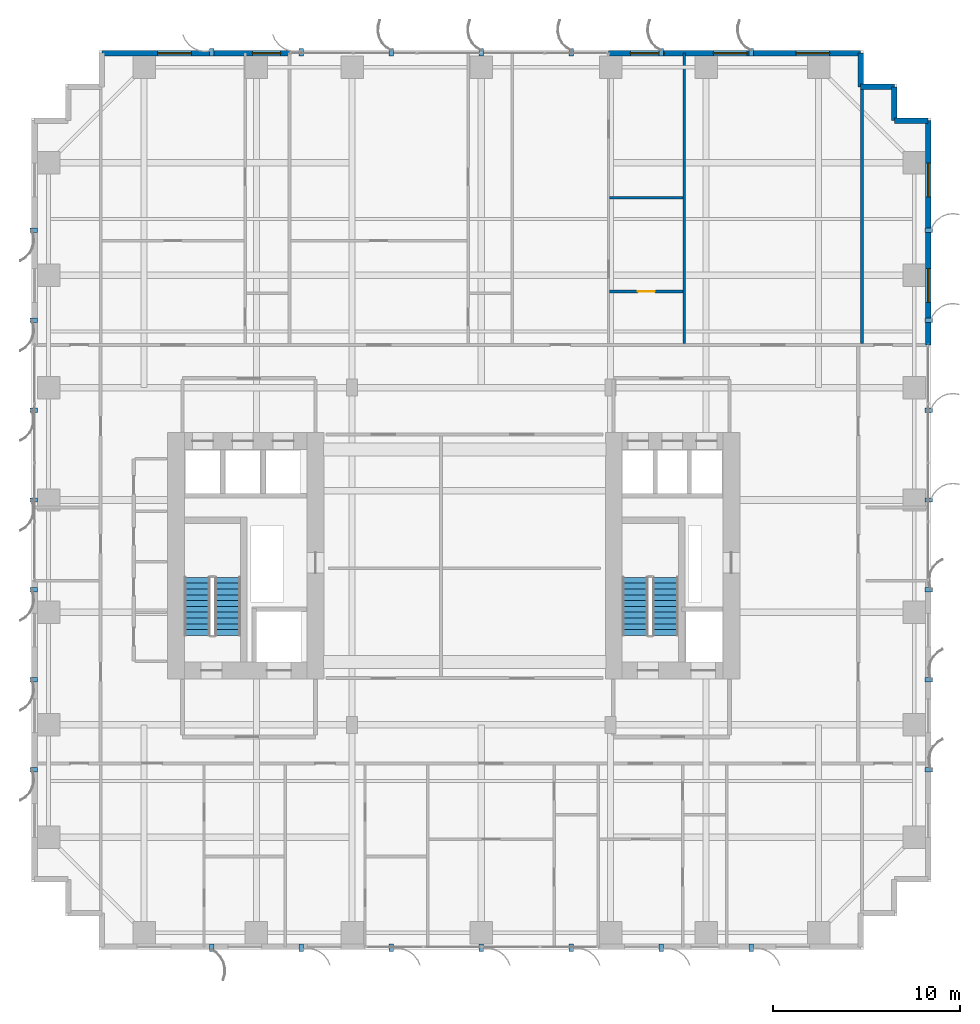
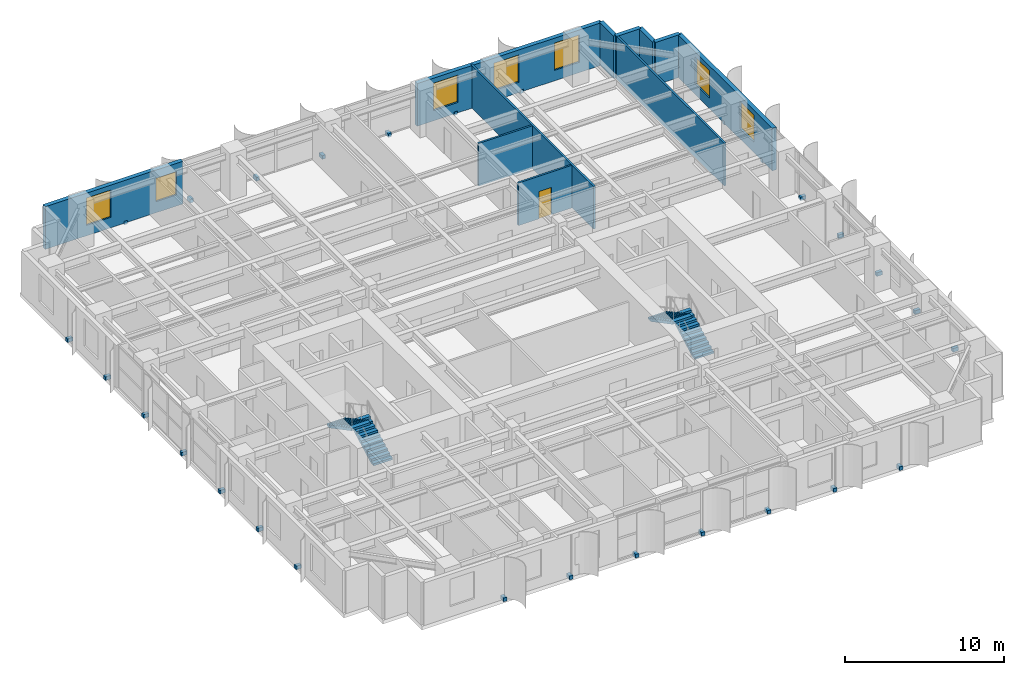
# One storey, part 19 of 23: 28 discrete accessories, 11 walls, 7 windows, 4 stair flights, 1 door, 8 openings, 2 elements without a shape of their own.
"""IFC4 building model written with IfcOpenShell, lengths in metres."""

from ifc_helpers import new_model, si_unit, direction, frame, frame_2d, origin, origin_2d, place, context, subcontext, project, spatial, polyline, rectangle, outline, extrude, source, transform, mapped, material, layer, layer_set, type_object, element, fill, aggregate, save


model = new_model("IFC4")

# Units and contexts
model_context = context("Model", 3, precision=1e-05, world=origin(), true_north=direction((0.0, 1.0)))
body_context = subcontext(model_context, "Body", "Model", "MODEL_VIEW")
ifc_project = project(units=[si_unit("LENGTHUNIT", "METRE"), si_unit("AREAUNIT", "SQUARE_METRE"), si_unit("VOLUMEUNIT", "CUBIC_METRE"), si_unit("PLANEANGLEUNIT", "RADIAN"), si_unit("MASSUNIT", "GRAM", prefix="KILO")], contexts=[model_context])

# Site, building, storey
site_placement = place(None, origin())
site = spatial("IfcSite", under=ifc_project, at=site_placement, CompositionType="ELEMENT")
building_placement = place(site_placement, origin())
building = spatial("IfcBuilding", under=site, at=building_placement, Name="Khoralis Quay Care Tower", CompositionType="ELEMENT")
storey_placement = place(building_placement, frame((0.0, 0.0, 72.89990234375)))
storey = spatial("IfcBuildingStorey", under=building, at=storey_placement, Name="L19", CompositionType="ELEMENT", Elevation=72.89990234375)

# Wall, openings, windows
ifc_material_1 = material(Name="Precast concrete C45/55", Category="concrete")
ifc_layer_1 = layer(ifc_material_1, 0.300048828125)
ifc_layer_set_1 = layer_set([ifc_layer_1], Name="Precast concrete C45/55")
wall_type_1 = type_object("IfcWallType", Name="WL-EXT-REF-300", PredefinedType="SOLIDWALL", material=ifc_layer_set_1)
wall_1_placement = place(storey_placement, frame((47.85009765625, 32.280029296875, 0.0), z_axis=(0.0, 0.0, 1.0), x_axis=(0.0, 1.0, 0.0)))
wall_1 = element("IfcWall", 1, at=wall_1_placement, inside=storey, type_object=wall_type_1, Name="L19 External Facade Wall WL-EXT-L19-P1-E5B", PredefinedType="SOLIDWALL", context=body_context, shape_type="SweptSolid", body=[
    extrude(rectangle(XDim=11.969970703125, YDim=0.300048828125, at=frame_2d((5.98486328125, 0.0))), origin(), (0.0, 0.0, 1.0), 3.280029296875),
])
opening_1_placement = place(wall_1_placement, frame((2.2724609375, 0.0, 0.800048828125)))
opening_1 = element("IfcOpeningElement", 2, at=opening_1_placement, cuts=wall_1, Name="Opening W2", PredefinedType="OPENING", context=body_context, shape_type="SweptSolid", body=[
    extrude(rectangle(XDim=1.800048828125, YDim=2.10009765625, at=frame_2d((0.89990234375, 1.050048828125))), frame((0.0, 0.16015625, 0.0), z_axis=(0.0, -1.0, 0.0), x_axis=(1.0, 0.0, 0.0)), (0.0, 0.0, 1.0), 0.320068359375),
])
opening_2_placement = place(wall_1_placement, frame((7.8974609375, 0.0, 0.800048828125)))
opening_2 = element("IfcOpeningElement", 3, at=opening_2_placement, cuts=wall_1, Name="Opening W2", PredefinedType="OPENING", context=body_context, shape_type="SweptSolid", body=[
    extrude(rectangle(XDim=1.800048828125, YDim=2.10009765625, at=frame_2d((0.89990234375, 1.050048828125))), frame((0.0, 0.16015625, 0.0), z_axis=(0.0, -1.0, 0.0), x_axis=(1.0, 0.0, 0.0)), (0.0, 0.0, 1.0), 0.320068359375),
])
ifc_material_2 = material(Name="Low-E solar-control double glazing", Category="glass")
window_type_1 = type_object("IfcWindowType", Name="WN-POD-1800X2100", PartitioningType="SINGLE_PANEL", PredefinedType="WINDOW", material=ifc_material_2)
shared_shape_1 = source(origin(), body_context, "Body", "SweptSolid", [
    extrude(rectangle(XDim=1.800048828125, YDim=2.10009765625, at=frame_2d((0.89990234375, 1.050048828125))), frame((0.0, 0.030029296875, 0.0), z_axis=(0.0, -1.0, 0.0), x_axis=(1.0, 0.0, 0.0)), (0.0, 0.0, 1.0), 0.06005859375),
])
window_1_placement = place(opening_1_placement, origin())
window_1 = element("IfcWindow", 4, at=window_1_placement, inside=storey, type_object=window_type_1, Name="WN-L19-P1-E5B Facade Window 01", OverallHeight=2.10009765625, OverallWidth=1.800048828125, PartitioningType="SINGLE_PANEL", PredefinedType="WINDOW", context=body_context, shape_type="MappedRepresentation", body=[
    mapped(shared_shape_1, transform((0.0, 0.0, 0.0), scale=1.0)),
])
fill(opening_1, window_1)
window_2_placement = place(opening_2_placement, origin())
window_2 = element("IfcWindow", 5, at=window_2_placement, inside=storey, type_object=window_type_1, Name="WN-L19-P1-E5B Facade Window 02", OverallHeight=2.10009765625, OverallWidth=1.800048828125, PartitioningType="SINGLE_PANEL", PredefinedType="WINDOW", context=body_context, shape_type="MappedRepresentation", body=[
    mapped(shared_shape_1, transform((0.0, 0.0, 0.0), scale=1.0)),
])
fill(opening_2, window_2)

# Walls
for number, where, z_axis, x_axis, name in (
    (6, (47.85009765625, 44.25, 0.0), (0.0, 0.0, 1.0), (-1.0, 0.0, 0.0), "L19 External Facade Wall WL-EXT-L19-P1-C6"),
    (7, (46.050048828125, 44.25, 0.0), (0.0, 0.0, 1.0), (0.0, 1.0, 0.0), "L19 External Facade Wall WL-EXT-L19-P1-C7"),
    (8, (46.050048828125, 46.050048828125, 0.0), (0.0, 0.0, 1.0), (-1.0, 0.0, 0.0), "L19 External Facade Wall WL-EXT-L19-P1-C8"),
    (9, (44.25, 46.050048828125, 0.0), (0.0, 0.0, 1.0), (0.0, 1.0, 0.0), "L19 External Facade Wall WL-EXT-L19-P1-C9"),
):
    element("IfcWall", number, at=place(storey_placement, frame(where, z_axis=z_axis, x_axis=x_axis)), inside=storey, type_object=wall_type_1, Name=name, PredefinedType="SOLIDWALL", context=body_context, shape_type="SweptSolid", body=[
        extrude(rectangle(XDim=1.800048828125, YDim=0.300048828125, at=frame_2d((0.89990234375, 0.0))), origin(), (0.0, 0.0, 1.0), 3.280029296875),
    ])

# Wall, openings, windows
wall_2_placement = place(storey_placement, frame((44.25, 47.85009765625, 0.0), z_axis=(0.0, 0.0, 1.0), x_axis=(-1.0, 0.0, 0.0)))
wall_2 = element("IfcWall", 10, at=wall_2_placement, inside=storey, type_object=wall_type_1, Name="L19 External Facade Wall WL-EXT-L19-P1-E10A", PredefinedType="SOLIDWALL", context=body_context, shape_type="SweptSolid", body=[
    extrude(rectangle(XDim=13.455078125, YDim=0.300048828125, at=frame_2d((6.7275390625, 0.0))), origin(), (0.0, 0.0, 1.0), 3.280029296875),
])
opening_3_placement = place(wall_2_placement, frame((1.659912109375, 0.0, 0.800048828125)))
opening_3 = element("IfcOpeningElement", 11, at=opening_3_placement, cuts=wall_2, Name="Opening W2", PredefinedType="OPENING", context=body_context, shape_type="SweptSolid", body=[
    extrude(rectangle(XDim=1.800048828125, YDim=2.10009765625, at=frame_2d((0.89990234375, 1.050048828125))), frame((0.0, 0.16015625, 0.0), z_axis=(0.0, -1.0, 0.0), x_axis=(1.0, 0.0, 0.0)), (0.0, 0.0, 1.0), 0.320068359375),
])
opening_4_placement = place(wall_2_placement, frame((6.06005859375, 0.0, 0.800048828125)))
opening_4 = element("IfcOpeningElement", 12, at=opening_4_placement, cuts=wall_2, Name="Opening W2", PredefinedType="OPENING", context=body_context, shape_type="SweptSolid", body=[
    extrude(rectangle(XDim=1.800048828125, YDim=2.10009765625, at=frame_2d((0.89990234375, 1.050048828125))), frame((0.0, 0.16015625, 0.0), z_axis=(0.0, -1.0, 0.0), x_axis=(1.0, 0.0, 0.0)), (0.0, 0.0, 1.0), 0.320068359375),
])
opening_5_placement = place(wall_2_placement, frame((10.487548828125, 0.0, 0.800048828125)))
opening_5 = element("IfcOpeningElement", 13, at=opening_5_placement, cuts=wall_2, Name="Opening W2", PredefinedType="OPENING", context=body_context, shape_type="SweptSolid", body=[
    extrude(rectangle(XDim=1.800048828125, YDim=2.10009765625, at=frame_2d((0.89990234375, 1.050048828125))), frame((0.0, 0.16015625, 0.0), z_axis=(0.0, -1.0, 0.0), x_axis=(1.0, 0.0, 0.0)), (0.0, 0.0, 1.0), 0.320068359375),
])
window_3_placement = place(opening_3_placement, origin())
window_3 = element("IfcWindow", 14, at=window_3_placement, inside=storey, type_object=window_type_1, Name="WN-L19-P1-E10A Facade Window 01", OverallHeight=2.10009765625, OverallWidth=1.800048828125, PartitioningType="SINGLE_PANEL", PredefinedType="WINDOW", context=body_context, shape_type="MappedRepresentation", body=[
    mapped(shared_shape_1, transform((0.0, 0.0, 0.0), scale=1.0)),
])
fill(opening_3, window_3)
window_4_placement = place(opening_4_placement, origin())
window_4 = element("IfcWindow", 15, at=window_4_placement, inside=storey, type_object=window_type_1, Name="WN-L19-P1-E10A Facade Window 02", OverallHeight=2.10009765625, OverallWidth=1.800048828125, PartitioningType="SINGLE_PANEL", PredefinedType="WINDOW", context=body_context, shape_type="MappedRepresentation", body=[
    mapped(shared_shape_1, transform((0.0, 0.0, 0.0), scale=1.0)),
])
fill(opening_4, window_4)
window_5_placement = place(opening_5_placement, origin())
window_5 = element("IfcWindow", 16, at=window_5_placement, inside=storey, type_object=window_type_1, Name="WN-L19-P1-E10A Facade Window 03", OverallHeight=2.10009765625, OverallWidth=1.800048828125, PartitioningType="SINGLE_PANEL", PredefinedType="WINDOW", context=body_context, shape_type="MappedRepresentation", body=[
    mapped(shared_shape_1, transform((0.0, 0.0, 0.0), scale=1.0)),
])
fill(opening_5, window_5)

wall_3_placement = place(storey_placement, frame((13.760009765625, 47.85009765625, 0.0), z_axis=(0.0, 0.0, 1.0), x_axis=(-1.0, 0.0, 0.0)))
wall_3 = element("IfcWall", 17, at=wall_3_placement, inside=storey, type_object=wall_type_1, Name="L19 External Facade Wall WL-EXT-L19-P1-E10B", PredefinedType="SOLIDWALL", context=body_context, shape_type="SweptSolid", body=[
    extrude(rectangle(XDim=10.010009765625, YDim=0.300048828125, at=frame_2d((5.0048828125, 0.0))), origin(), (0.0, 0.0, 1.0), 3.280029296875),
])
opening_6_placement = place(wall_3_placement, frame((0.47509765625, 0.0, 0.85009765625)))
opening_6 = element("IfcOpeningElement", 18, at=opening_6_placement, cuts=wall_3, Name="Opening W3", PredefinedType="OPENING", context=body_context, shape_type="SweptSolid", body=[
    extrude(rectangle(XDim=1.5, YDim=1.800048828125, at=frame_2d((0.75, 0.89990234375))), frame((0.0, 0.16015625, 0.0), z_axis=(0.0, -1.0, 0.0), x_axis=(1.0, 0.0, 0.0)), (0.0, 0.0, 1.0), 0.320068359375),
])
opening_7_placement = place(wall_3_placement, frame((5.22998046875, 0.0, 0.800048828125)))
opening_7 = element("IfcOpeningElement", 19, at=opening_7_placement, cuts=wall_3, Name="Opening W2", PredefinedType="OPENING", context=body_context, shape_type="SweptSolid", body=[
    extrude(rectangle(XDim=1.800048828125, YDim=2.10009765625, at=frame_2d((0.89990234375, 1.050048828125))), frame((0.0, 0.16015625, 0.0), z_axis=(0.0, -1.0, 0.0), x_axis=(1.0, 0.0, 0.0)), (0.0, 0.0, 1.0), 0.320068359375),
])
window_type_2 = type_object("IfcWindowType", Name="WN-CLIN-1500X1800", PartitioningType="SINGLE_PANEL", PredefinedType="WINDOW", material=ifc_material_2)
shared_shape_2 = source(origin(), body_context, "Body", "SweptSolid", [
    extrude(rectangle(XDim=1.5, YDim=1.800048828125, at=frame_2d((0.75, 0.89990234375))), frame((0.0, 0.030029296875, 0.0), z_axis=(0.0, -1.0, 0.0), x_axis=(1.0, 0.0, 0.0)), (0.0, 0.0, 1.0), 0.06005859375),
])
window_6_placement = place(opening_6_placement, origin())
window_6 = element("IfcWindow", 20, at=window_6_placement, inside=storey, type_object=window_type_2, Name="WN-L19-P1-E10B Facade Window 01", OverallHeight=1.800048828125, OverallWidth=1.5, PartitioningType="SINGLE_PANEL", PredefinedType="WINDOW", context=body_context, shape_type="MappedRepresentation", body=[
    mapped(shared_shape_2, transform((0.0, 0.0, 0.0), scale=1.0)),
])
fill(opening_6, window_6)
window_7_placement = place(opening_7_placement, origin())
window_7 = element("IfcWindow", 21, at=window_7_placement, inside=storey, type_object=window_type_1, Name="WN-L19-P1-E10B Facade Window 02", OverallHeight=2.10009765625, OverallWidth=1.800048828125, PartitioningType="SINGLE_PANEL", PredefinedType="WINDOW", context=body_context, shape_type="MappedRepresentation", body=[
    mapped(shared_shape_1, transform((0.0, 0.0, 0.0), scale=1.0)),
])
fill(opening_7, window_7)

# Walls
ifc_material_3 = material(Name="Moisture-resistant gypsum and ceramic tile")
ifc_layer_2 = layer(ifc_material_3, 0.280029296875)
ifc_layer_set_2 = layer_set([ifc_layer_2], Name="Moisture-resistant gypsum and ceramic tile")
wall_type_2 = type_object("IfcWallType", Name="WL-PLUMB-280", PredefinedType="PLUMBINGWALL", material=ifc_layer_set_2)
wall_4_placement = place(storey_placement, frame((30.847412109375, 40.139892578125, 0.0), z_axis=(0.0, 0.0, 1.0), x_axis=(1.0, 0.0, 0.0)))
element("IfcWall", 22, at=wall_4_placement, inside=storey, type_object=wall_type_2, Name="L19 Studio 2 Wet Split", PredefinedType="PLUMBINGWALL", context=body_context, shape_type="SweptSolid", body=[
    extrude(rectangle(XDim=3.91748046875, YDim=0.139892578125, at=frame_2d((1.958740234375, 0.0))), origin(), (0.0, 0.0, 1.0), 3.280029296875),
])
ifc_material_4 = material(Name="Gypsum plasterboard on acoustic metal stud")
ifc_layer_3 = layer(ifc_material_4, 0.139892578125)
ifc_layer_set_3 = layer_set([ifc_layer_3], Name="Gypsum plasterboard on acoustic metal stud")
wall_type_3 = type_object("IfcWallType", Name="WL-UNIT-140", PredefinedType="PARTITIONING", material=ifc_layer_set_3)
wall_5_placement = place(storey_placement, frame((34.830078125, 32.357421875, 0.0), z_axis=(0.0, 0.0, 1.0), x_axis=(0.0, 1.0, 0.0)))
element("IfcWall", 23, at=wall_5_placement, inside=storey, type_object=wall_type_3, Name="L19 NB Demising Wall 3", PredefinedType="PARTITIONING", context=body_context, shape_type="SweptSolid", body=[
    extrude(rectangle(XDim=15.49755859375, YDim=0.139892578125, at=frame_2d((7.748779296875, 0.0))), origin(), (0.0, 0.0, 1.0), 3.280029296875),
])
wall_6_placement = place(storey_placement, frame((44.320068359375, 32.357421875, 0.0), z_axis=(0.0, 0.0, 1.0), x_axis=(0.0, 1.0, 0.0)))
element("IfcWall", 24, at=wall_6_placement, inside=storey, type_object=wall_type_3, Name="L19 NB Demising Wall 4", PredefinedType="PARTITIONING", context=body_context, shape_type="SweptSolid", body=[
    extrude(rectangle(XDim=13.697509765625, YDim=0.139892578125, at=frame_2d((6.8486328125, 0.0))), origin(), (0.0, 0.0, 1.0), 3.280029296875),
])

# Wall, opening, door
wall_7_placement = place(storey_placement, frame((30.847412109375, 35.1298828125, 0.0), z_axis=(0.0, 0.0, 1.0), x_axis=(1.0, 0.0, 0.0)))
wall_7 = element("IfcWall", 25, at=wall_7_placement, inside=storey, type_object=wall_type_3, Name="Studio Bathroom L19-NB2 Sub-Partition", PredefinedType="PARTITIONING", context=body_context, shape_type="SweptSolid", body=[
    extrude(rectangle(XDim=3.91748046875, YDim=0.139892578125, at=frame_2d((1.958740234375, 0.0))), origin(), (0.0, 0.0, 1.0), 3.280029296875),
])
opening_8_placement = place(wall_7_placement, frame((1.514892578125, 0.0, 0.0)))
opening_8 = element("IfcOpeningElement", 26, at=opening_8_placement, cuts=wall_7, Name="Opening WD1", PredefinedType="OPENING", context=body_context, shape_type="SweptSolid", body=[
    extrude(rectangle(XDim=0.89990234375, YDim=2.10009765625, at=frame_2d((0.449951171875, 1.050048828125))), frame((0.0, 0.080078125, 0.0), z_axis=(0.0, -1.0, 0.0), x_axis=(1.0, 0.0, 0.0)), (0.0, 0.0, 1.0), 0.159912109375),
])
ifc_material_5 = material(Name="Acoustic hardwood timber", Category="wood")
door_type = type_object("IfcDoorType", Name="DR-BATH-900X2100", OperationType="NOTDEFINED", PredefinedType="DOOR", material=ifc_material_5)
shared_shape_3 = source(origin(), body_context, "Body", "SweptSolid", [
    extrude(rectangle(XDim=0.89990234375, YDim=2.10009765625, at=frame_2d((0.449951171875, 1.050048828125))), frame((0.0, 0.02490234375, 0.0), z_axis=(0.0, -1.0, 0.0), x_axis=(1.0, 0.0, 0.0)), (0.0, 0.0, 1.0), 0.050048828125),
])
door_placement = place(opening_8_placement, origin())
door = element("IfcDoor", 27, at=door_placement, inside=storey, type_object=door_type, Name="Linen & Utility Closet SBH2 Door", OperationType="SINGLE_SWING_LEFT", OverallHeight=2.10009765625, OverallWidth=0.89990234375, PredefinedType="DOOR", context=body_context, shape_type="MappedRepresentation", body=[
    mapped(shared_shape_3, transform((0.0, 0.0, 0.0), scale=1.0)),
])
fill(opening_8, door)

# Stair, stair flights
stair_type = type_object("IfcStairType", Name="ST-TWR-DOGLEG-1400", PredefinedType="HALF_TURN_STAIR", material=ifc_material_1)
stair_1_placement = place(storey_placement, origin())
stair_1 = element("IfcStair", 28, at=stair_1_placement, inside=storey, type_object=stair_type, Name="L19 West Core Exit Stair ST-T1", PredefinedType="HALF_TURN_STAIR")
stair_flight_type = type_object("IfcStairFlightType", Name="SF-TWR-1400", PredefinedType="STRAIGHT", material=ifc_material_1)
shared_shape_4 = source(origin(), body_context, "Body", "SweptSolid", [
    extrude(outline(polyline([(0.0, 0.0), (0.0, 0.16357421875), (0.31005859375, 0.16357421875), (0.31005859375, 0.327392578125), (0.6201171875, 0.327392578125), (0.6201171875, 0.490966796875), (0.929931640625, 0.490966796875), (0.929931640625, 0.654541015625), (1.239990234375, 0.654541015625), (1.239990234375, 0.818115234375), (1.550048828125, 0.818115234375), (1.550048828125, 0.98193359375), (1.860107421875, 0.98193359375), (1.860107421875, 1.1455078125), (2.169921875, 1.1455078125), (2.169921875, 1.30908203125), (2.47998046875, 1.30908203125), (2.47998046875, 1.47265625), (2.7900390625, 1.47265625), (2.7900390625, 1.636474609375), (3.10009765625, 1.636474609375), (3.10009765625, 1.800048828125), (3.10009765625, 1.466796875), (0.321044921875, 0.0), (0.0, 0.0)])), frame((0.0, 0.68994140625, 0.0), z_axis=(0.0, -1.0, 0.0), x_axis=(1.0, 0.0, 0.0)), (0.0, 0.0, 1.0), 1.3798828125),
])
stair_flight_1_placement = place(storey_placement, frame((10.4599609375, 16.77001953125, 0.0), z_axis=(0.0, 0.0, 1.0), x_axis=(0.0, 1.0, 0.0)))
stair_flight_1 = element("IfcStairFlight", 29, at=stair_flight_1_placement, type_object=stair_flight_type, Name="ST-T1 flight 1", NumberOfRisers=11, NumberOfTreads=10, PredefinedType="STRAIGHT", RiserHeight=0.163636364, TreadLength=0.31, context=body_context, shape_type="MappedRepresentation", body=[
    mapped(shared_shape_4, transform((0.0, 0.0, 0.0), scale=1.0)),
])
stair_flight_2_placement = place(storey_placement, frame((8.840087890625, 19.8701171875, 1.800048828125), z_axis=(0.0, 0.0, 1.0), x_axis=(0.0, -1.0, 0.0)))
stair_flight_2 = element("IfcStairFlight", 30, at=stair_flight_2_placement, type_object=stair_flight_type, Name="ST-T1 flight 2", NumberOfRisers=11, NumberOfTreads=10, PredefinedType="STRAIGHT", RiserHeight=0.163636364, TreadLength=0.31, context=body_context, shape_type="MappedRepresentation", body=[
    mapped(shared_shape_4, transform((0.0, 0.0, 0.0), scale=1.0)),
])
aggregate(stair_1, [stair_flight_1, stair_flight_2])

stair_2_placement = place(storey_placement, origin())
stair_2 = element("IfcStair", 31, at=stair_2_placement, inside=storey, type_object=stair_type, Name="L19 East Core Exit Stair ST-T2", PredefinedType="HALF_TURN_STAIR")
stair_flight_3_placement = place(storey_placement, frame((33.830078125, 16.77001953125, 0.0), z_axis=(0.0, 0.0, 1.0), x_axis=(0.0, 1.0, 0.0)))
stair_flight_3 = element("IfcStairFlight", 32, at=stair_flight_3_placement, type_object=stair_flight_type, Name="ST-T2 flight 1", NumberOfRisers=11, NumberOfTreads=10, PredefinedType="STRAIGHT", RiserHeight=0.163636364, TreadLength=0.31, context=body_context, shape_type="MappedRepresentation", body=[
    mapped(shared_shape_4, transform((0.0, 0.0, 0.0), scale=1.0)),
])
stair_flight_4_placement = place(storey_placement, frame((32.2099609375, 19.8701171875, 1.800048828125), z_axis=(0.0, 0.0, 1.0), x_axis=(0.0, -1.0, 0.0)))
stair_flight_4 = element("IfcStairFlight", 33, at=stair_flight_4_placement, type_object=stair_flight_type, Name="ST-T2 flight 2", NumberOfRisers=11, NumberOfTreads=10, PredefinedType="STRAIGHT", RiserHeight=0.163636364, TreadLength=0.31, context=body_context, shape_type="MappedRepresentation", body=[
    mapped(shared_shape_4, transform((0.0, 0.0, 0.0), scale=1.0)),
])
aggregate(stair_2, [stair_flight_3, stair_flight_4])

# Discrete accessories
ifc_material_6 = material(Name="Brushed stainless steel", Category="steel")
discrete_accessory_type = type_object("IfcDiscreteAccessoryType", Name="ACC-FIN-BRACKET", PredefinedType="BRACKET", material=ifc_material_6)
shared_shape_5 = source(origin(), body_context, "Body", "SweptSolid", [
    extrude(rectangle(XDim=0.39990234375, YDim=0.239990234375, at=origin_2d()), origin(), (0.0, 0.0, 1.0), 0.280029296875),
])
for number, where, z_axis, x_axis, name in (
    (34, (9.60009765625, 0.110107421875, -0.1201171875), (0.0, 0.0, 1.0), (0.0, -1.0, 0.0), "L19 Solar Fin Bracket P1E0-01"),
    (35, (14.39990234375, 0.110107421875, -0.1201171875), (0.0, 0.0, 1.0), (0.0, -1.0, 0.0), "L19 Solar Fin Bracket P1E0-02"),
    (36, (19.199951171875, 0.110107421875, -0.1201171875), (0.0, 0.0, 1.0), (0.0, -1.0, 0.0), "L19 Solar Fin Bracket P1E0-03"),
    (37, (24.0, 0.110107421875, -0.1201171875), (0.0, 0.0, 1.0), (0.0, -1.0, 0.0), "L19 Solar Fin Bracket P1E0-04"),
    (38, (28.800048828125, 0.110107421875, -0.1201171875), (0.0, 0.0, 1.0), (0.0, -1.0, 0.0), "L19 Solar Fin Bracket P1E0-05"),
    (39, (33.60009765625, 0.110107421875, -0.1201171875), (0.0, 0.0, 1.0), (0.0, -1.0, 0.0), "L19 Solar Fin Bracket P1E0-06"),
    (40, (38.39990234375, 0.110107421875, -0.1201171875), (0.0, 0.0, 1.0), (0.0, -1.0, 0.0), "L19 Solar Fin Bracket P1E0-07"),
    (41, (47.889892578125, 9.60009765625, -0.1201171875), (0.0, 0.0, 1.0), (1.0, 0.0, 0.0), "L19 Solar Fin Bracket P1E5-01"),
    (42, (47.889892578125, 14.39990234375, -0.1201171875), (0.0, 0.0, 1.0), (1.0, 0.0, 0.0), "L19 Solar Fin Bracket P1E5-02"),
    (43, (47.889892578125, 19.199951171875, -0.1201171875), (0.0, 0.0, 1.0), (1.0, 0.0, 0.0), "L19 Solar Fin Bracket P1E5-03"),
    (44, (47.889892578125, 24.0, -0.1201171875), (0.0, 0.0, 1.0), (1.0, 0.0, 0.0), "L19 Solar Fin Bracket P1E5-04"),
    (45, (47.889892578125, 28.800048828125, -0.1201171875), (0.0, 0.0, 1.0), (1.0, 0.0, 0.0), "L19 Solar Fin Bracket P1E5-05"),
    (46, (47.889892578125, 33.60009765625, -0.1201171875), (0.0, 0.0, 1.0), (1.0, 0.0, 0.0), "L19 Solar Fin Bracket P1E5-06"),
    (47, (47.889892578125, 38.39990234375, -0.1201171875), (0.0, 0.0, 1.0), (1.0, 0.0, 0.0), "L19 Solar Fin Bracket P1E5-07"),
    (48, (38.39990234375, 47.889892578125, -0.1201171875), (0.0, 0.0, 1.0), (0.0, 1.0, 0.0), "L19 Solar Fin Bracket P1E10-01"),
    (49, (33.60009765625, 47.889892578125, -0.1201171875), (0.0, 0.0, 1.0), (0.0, 1.0, 0.0), "L19 Solar Fin Bracket P1E10-02"),
    (50, (28.800048828125, 47.889892578125, -0.1201171875), (0.0, 0.0, 1.0), (0.0, 1.0, 0.0), "L19 Solar Fin Bracket P1E10-03"),
    (51, (24.0, 47.889892578125, -0.1201171875), (0.0, 0.0, 1.0), (0.0, 1.0, 0.0), "L19 Solar Fin Bracket P1E10-04"),
    (52, (19.199951171875, 47.889892578125, -0.1201171875), (0.0, 0.0, 1.0), (0.0, 1.0, 0.0), "L19 Solar Fin Bracket P1E10-05"),
    (53, (14.39990234375, 47.889892578125, -0.1201171875), (0.0, 0.0, 1.0), (0.0, 1.0, 0.0), "L19 Solar Fin Bracket P1E10-06"),
    (54, (9.60009765625, 47.889892578125, -0.1201171875), (0.0, 0.0, 1.0), (0.0, 1.0, 0.0), "L19 Solar Fin Bracket P1E10-07"),
    (55, (0.110107421875, 38.39990234375, -0.1201171875), (0.0, 0.0, 1.0), (-1.0, 0.0, 0.0), "L19 Solar Fin Bracket P1E15-01"),
    (56, (0.110107421875, 33.60009765625, -0.1201171875), (0.0, 0.0, 1.0), (-1.0, 0.0, 0.0), "L19 Solar Fin Bracket P1E15-02"),
    (57, (0.110107421875, 28.800048828125, -0.1201171875), (0.0, 0.0, 1.0), (-1.0, 0.0, 0.0), "L19 Solar Fin Bracket P1E15-03"),
    (58, (0.110107421875, 24.0, -0.1201171875), (0.0, 0.0, 1.0), (-1.0, 0.0, 0.0), "L19 Solar Fin Bracket P1E15-04"),
    (59, (0.110107421875, 19.199951171875, -0.1201171875), (0.0, 0.0, 1.0), (-1.0, 0.0, 0.0), "L19 Solar Fin Bracket P1E15-05"),
    (60, (0.110107421875, 14.39990234375, -0.1201171875), (0.0, 0.0, 1.0), (-1.0, 0.0, 0.0), "L19 Solar Fin Bracket P1E15-06"),
    (61, (0.110107421875, 9.60009765625, -0.1201171875), (0.0, 0.0, 1.0), (-1.0, 0.0, 0.0), "L19 Solar Fin Bracket P1E15-07"),
):
    element("IfcDiscreteAccessory", number, at=place(storey_placement, frame(where, z_axis=z_axis, x_axis=x_axis)), inside=storey, type_object=discrete_accessory_type, Name=name, PredefinedType="BRACKET", context=body_context, shape_type="MappedRepresentation", body=[
        mapped(shared_shape_5, transform((0.0, 0.0, 0.0), scale=1.0)),
    ])

save(model, "model.ifc")
